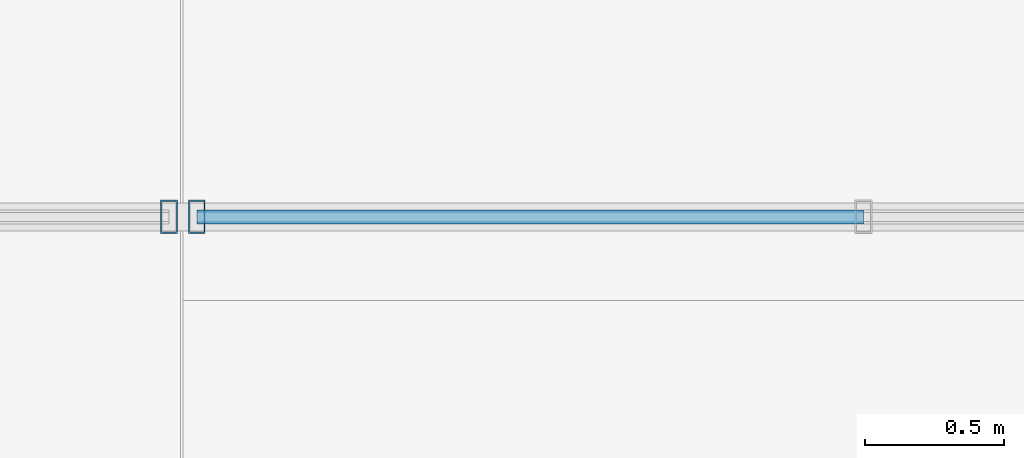
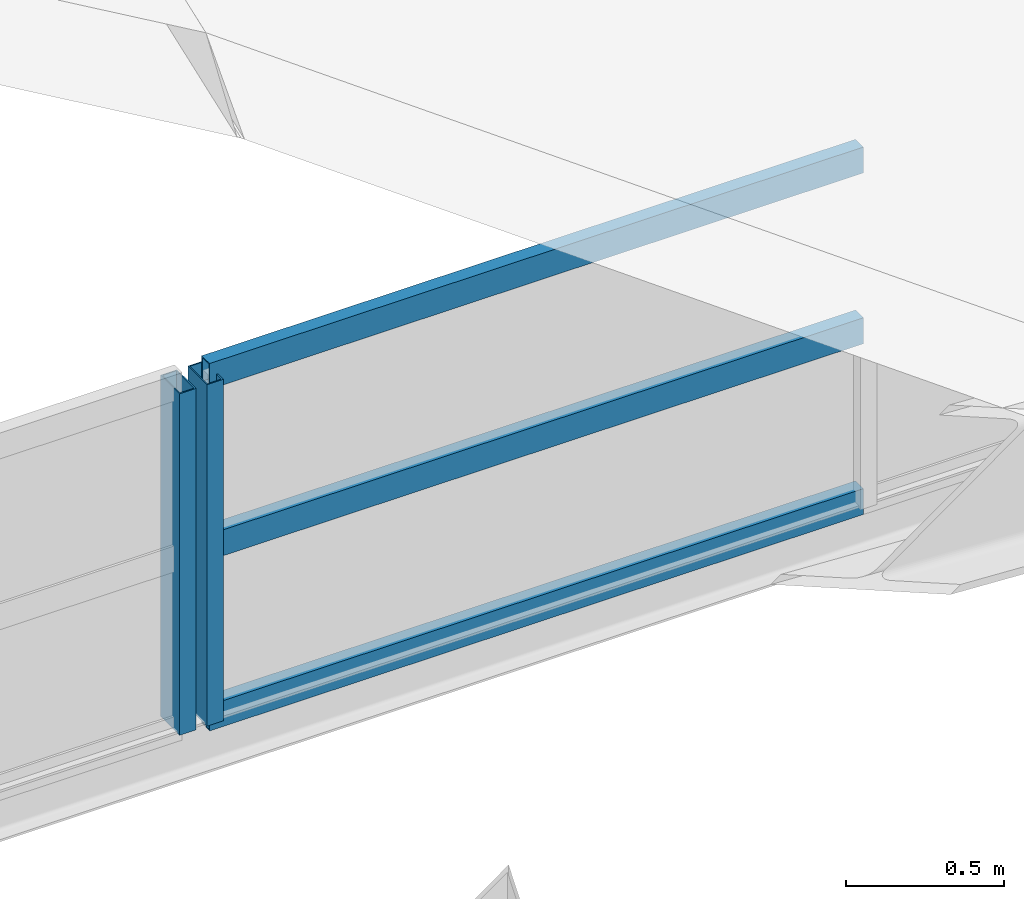
# One storey, part 106 of 141: 5 members, 2 elements without a shape of their own.
"""IFC4 building model written with IfcOpenShell, lengths in metres."""

from ifc_helpers import new_model, si_unit, direction, frame, origin, origin_2d, place, context, subcontext, project, spatial, hollow_rectangle, extrude, material, material_profile, profile_set, type_object, element, aggregate, save


model = new_model("IFC4")

# Units and contexts
model_context = context("Model", 3, precision=1e-05, world=origin(), true_north=direction((0.0, 1.0)))
body_context = subcontext(model_context, "Body", "Model", "MODEL_VIEW")
ifc_project = project(units=[si_unit("LENGTHUNIT", "METRE"), si_unit("AREAUNIT", "SQUARE_METRE"), si_unit("VOLUMEUNIT", "CUBIC_METRE"), si_unit("PLANEANGLEUNIT", "RADIAN"), si_unit("MASSUNIT", "GRAM", prefix="KILO")], contexts=[model_context])

# Site, building, storey
site_placement = place(None, origin())
site = spatial("IfcSite", under=ifc_project, at=site_placement, CompositionType="ELEMENT")
building_placement = place(site_placement, origin())
building = spatial("IfcBuilding", under=site, at=building_placement, Name="Sundkrona Museum", CompositionType="ELEMENT")
storey_placement = place(building_placement, frame((0.0, 0.0, 34.0)))
storey = spatial("IfcBuildingStorey", under=building, at=storey_placement, Name="RF", CompositionType="ELEMENT", Elevation=34.0)

# Curtain wall, member
ifc_material_1 = material(Name="Unitised Aluminium-Steel and Ceramic-Clad Curtain Walling", Category="steel")
curtain_wall_type = type_object("IfcCurtainWallType", Name="CW-SW-240x13", PredefinedType="NOTDEFINED", material=ifc_material_1)
curtain_wall_1_placement = place(storey_placement, origin())
curtain_wall_1 = element("IfcCurtainWall", 1, at=curtain_wall_1_placement, inside=storey, type_object=curtain_wall_type, Name="Sawtooth Bay 7 West North-Light Clerestory", PredefinedType="NOTDEFINED")
ifc_material_2 = material(Name="Aluminium EN AW-6060 T66", Category="aluminium")
ifc_material_profile_1 = material_profile(ifc_material_2, hollow_rectangle(XDim=0.06005859375, YDim=0.1201171875, WallThickness=0.0048828125, at=origin_2d()), Name="RHS 120x60x5.0")
ifc_profile_set_1 = profile_set([ifc_material_profile_1], Name="Aluminium EN AW-6060 T66")
member_type_1 = type_object("IfcMemberType", Name="ML-120", PredefinedType="MULLION", material=ifc_profile_set_1)
member_1_placement = place(storey_placement, frame((143.949951171875, 45.800048828125, 2.89306640625), z_axis=(0.0, 0.0, 1.0), x_axis=(1.0, 0.0, 0.0)))
member_1 = element("IfcMember", 2, at=member_1_placement, type_object=member_type_1, Name="CW-RF-SAW-07W Mullion 11", PredefinedType="MULLION", context=body_context, shape_type="SweptSolid", body=[
    extrude(hollow_rectangle(XDim=0.06005859375, YDim=0.1201171875, WallThickness=0.0048828125, at=origin_2d()), origin(), (0.0, 0.0, 1.0), 1.31982421875),
])
aggregate(curtain_wall_1, [member_1])

# Curtain wall, members
curtain_wall_2_placement = place(storey_placement, origin())
curtain_wall_2 = element("IfcCurtainWall", 3, at=curtain_wall_2_placement, inside=storey, type_object=curtain_wall_type, Name="Sawtooth Bay 7 East North-Light Clerestory", PredefinedType="NOTDEFINED")
member_2_placement = place(storey_placement, frame((144.050048828125, 45.800048828125, 2.89306640625), z_axis=(0.0, 0.0, 1.0), x_axis=(1.0, 0.0, 0.0)))
member_2 = element("IfcMember", 4, at=member_2_placement, type_object=member_type_1, Name="CW-RF-SAW-07E Mullion 01", PredefinedType="MULLION", context=body_context, shape_type="SweptSolid", body=[
    extrude(hollow_rectangle(XDim=0.06005859375, YDim=0.1201171875, WallThickness=0.0048828125, at=origin_2d()), origin(), (0.0, 0.0, 1.0), 1.31982421875),
])
ifc_material_profile_2 = material_profile(ifc_material_2, hollow_rectangle(XDim=0.050048828125, YDim=0.10009765625, WallThickness=0.0048828125, at=origin_2d()), Name="RHS 100x50x5.0")
ifc_profile_set_2 = profile_set([ifc_material_profile_2], Name="Aluminium EN AW-6060 T66")
member_type_2 = type_object("IfcMemberType", Name="TR-100", PredefinedType="USERDEFINED", material=ifc_profile_set_2)
member_3_placement = place(storey_placement, frame((144.050048828125, 45.800048828125, 2.89306640625), z_axis=(1.0, 0.0, 0.0), x_axis=(0.0, 1.0, 0.0)))
member_3 = element("IfcMember", 5, at=member_3_placement, type_object=member_type_2, Name="CW-RF-SAW-07E Transom 01", ObjectType="TRANSOM", PredefinedType="USERDEFINED", context=body_context, shape_type="SweptSolid", body=[
    extrude(hollow_rectangle(XDim=0.050048828125, YDim=0.10009765625, WallThickness=0.0048828125, at=origin_2d()), origin(), (0.0, 0.0, 1.0), 2.389892578125),
])
member_4_placement = place(storey_placement, frame((144.050048828125, 45.800048828125, 3.552978515625), z_axis=(1.0, 0.0, 0.0), x_axis=(0.0, 1.0, 0.0)))
member_4 = element("IfcMember", 6, at=member_4_placement, type_object=member_type_2, Name="CW-RF-SAW-07E Transom 02", ObjectType="TRANSOM", PredefinedType="USERDEFINED", context=body_context, shape_type="SweptSolid", body=[
    extrude(hollow_rectangle(XDim=0.050048828125, YDim=0.10009765625, WallThickness=0.0048828125, at=origin_2d()), origin(), (0.0, 0.0, 1.0), 2.389892578125),
])
member_5_placement = place(storey_placement, frame((144.050048828125, 45.800048828125, 4.212890625), z_axis=(1.0, 0.0, 0.0), x_axis=(0.0, 1.0, 0.0)))
member_5 = element("IfcMember", 7, at=member_5_placement, type_object=member_type_2, Name="CW-RF-SAW-07E Transom 03", ObjectType="TRANSOM", PredefinedType="USERDEFINED", context=body_context, shape_type="SweptSolid", body=[
    extrude(hollow_rectangle(XDim=0.050048828125, YDim=0.10009765625, WallThickness=0.0048828125, at=origin_2d()), origin(), (0.0, 0.0, 1.0), 2.389892578125),
])
aggregate(curtain_wall_2, [member_2, member_3, member_4, member_5])

save(model, "model.ifc")
